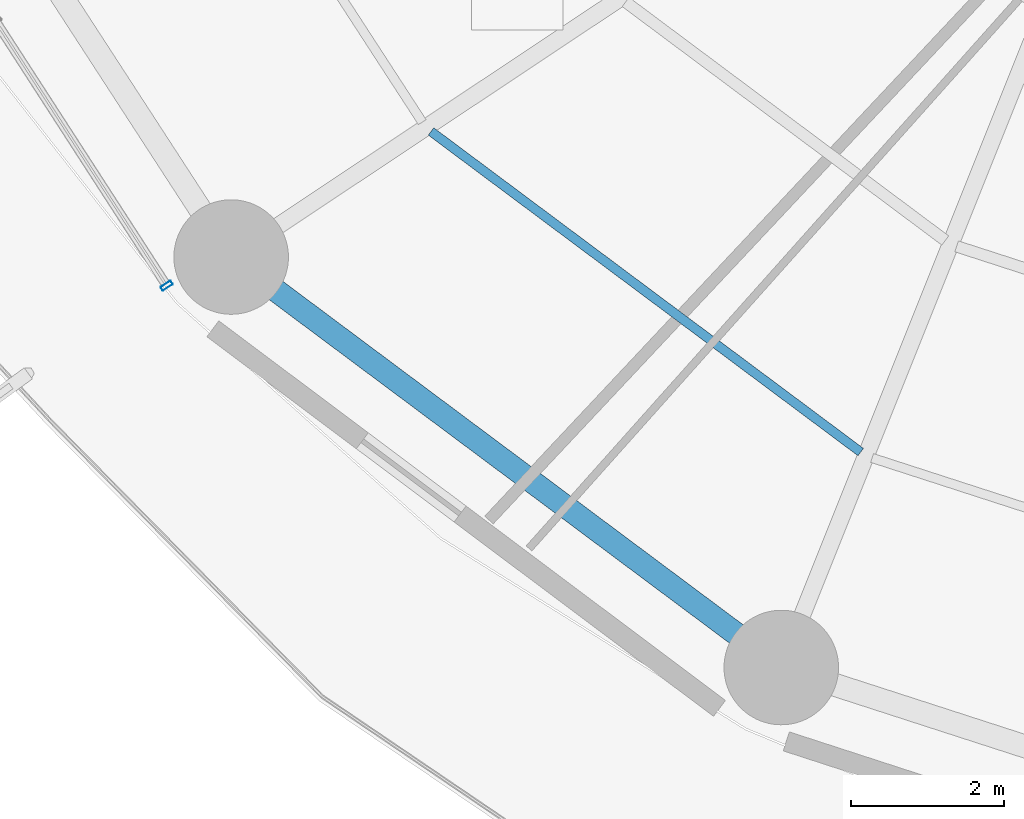
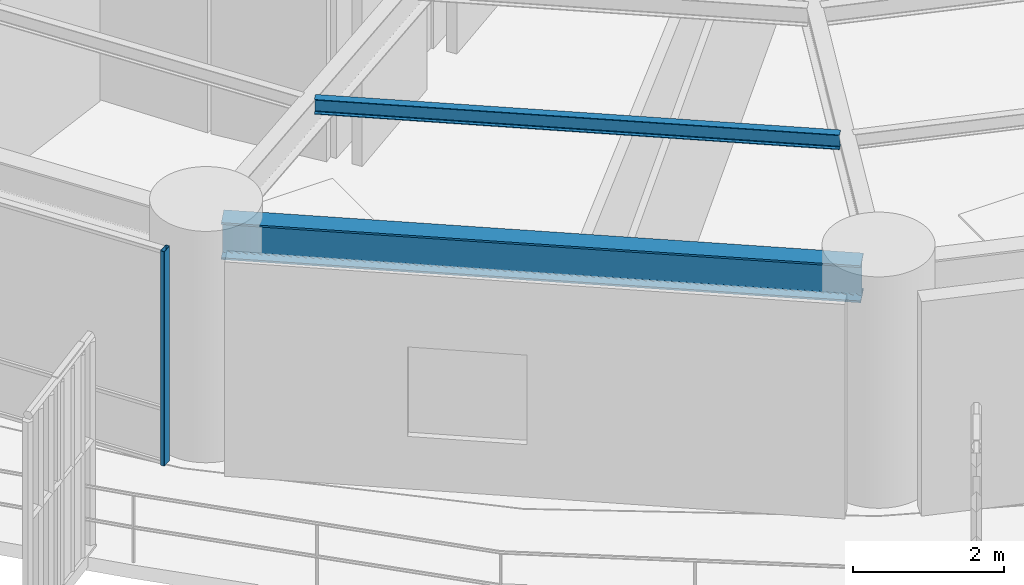
# One storey, part 3 of 35: 2 beams, 1 member, 1 element without a shape of its own.
"""IFC4 building model written with IfcOpenShell, lengths in metres."""

from ifc_helpers import new_model, si_unit, direction, frame, origin, origin_2d, place, context, subcontext, project, spatial, hollow_rectangle, i_section, extrude, material, layer, layer_set, material_profile, profile_set, type_object, element, aggregate, save


model = new_model("IFC4")

# Units and contexts
model_context = context("Model", 3, precision=1e-05, world=origin(), true_north=direction((0.0, 1.0)))
body_context = subcontext(model_context, "Body", "Model", "MODEL_VIEW")
ifc_project = project(units=[si_unit("LENGTHUNIT", "METRE"), si_unit("AREAUNIT", "SQUARE_METRE"), si_unit("VOLUMEUNIT", "CUBIC_METRE"), si_unit("PLANEANGLEUNIT", "RADIAN"), si_unit("MASSUNIT", "GRAM", prefix="KILO")], contexts=[model_context])

# Site, building, storey
site_placement = place(None, origin())
site = spatial("IfcSite", under=ifc_project, at=site_placement, CompositionType="ELEMENT")
building_placement = place(site_placement, origin())
building = spatial("IfcBuilding", under=site, at=building_placement, Name="Kelanora Arch Commons", CompositionType="ELEMENT")
storey_placement = place(building_placement, frame((0.0, 0.0, 22.5)))
storey = spatial("IfcBuildingStorey", under=building, at=storey_placement, Name="L05", CompositionType="ELEMENT", Elevation=22.5)

# Beams
ifc_material_1 = material(Name="Steel S355", Category="steel")
ifc_material_profile_1 = material_profile(ifc_material_1, i_section(OverallWidth=0.1201171875, OverallDepth=0.239990234375, WebThickness=0.006103515625, FlangeThickness=0.009765625, FilletRadius=0.014892578125, at=origin_2d()), Name="IPE240")
ifc_profile_set_1 = profile_set([ifc_material_profile_1], Name="Steel S355")
beam_type_1 = type_object("IfcBeamType", Name="BM-JST-02", PredefinedType="JOIST", material=ifc_profile_set_1)
beam_1_placement = place(storey_placement, frame((55.87255859375, 44.16650390625, 3.3701171875), z_axis=(0.80149131963, -0.598006408459, 0.0), x_axis=(0.598006408459, 0.80149131963, 0.0)))
element("IfcBeam", 1, at=beam_1_placement, inside=storey, type_object=beam_type_1, Name="Secondary Chord Joist BJC-22 L05", PredefinedType="JOIST", context=body_context, shape_type="SweptSolid", body=[
    extrude(i_section(OverallWidth=0.1201171875, OverallDepth=0.239990234375, WebThickness=0.006103515625, FlangeThickness=0.009765625, FilletRadius=0.014892578125, at=origin_2d()), origin(), (0.0, 0.0, 1.0), 7.021240234375),
])
ifc_material_profile_2 = material_profile(ifc_material_1, i_section(OverallWidth=0.300048828125, OverallDepth=0.60009765625, WebThickness=0.015380859375, FlangeThickness=0.030029296875, FilletRadius=0.027099609375, at=origin_2d()), Name="HEB600")
ifc_profile_set_2 = profile_set([ifc_material_profile_2], Name="Steel S355")
beam_type_2 = type_object("IfcBeamType", Name="BM-SPN-Z1", PredefinedType="SPANDREL", material=ifc_profile_set_2)
beam_2_placement = place(storey_placement, frame((53.431884765625, 42.39013671875, 3.18994140625), z_axis=(0.801474585329, -0.598028836322, 0.0), x_axis=(0.598028836322, 0.801474585329, 0.0)))
element("IfcBeam", 2, at=beam_2_placement, inside=storey, type_object=beam_type_2, Name="Perimeter Spandrel Beam BS-22 L05", PredefinedType="SPANDREL", context=body_context, shape_type="SweptSolid", body=[
    extrude(i_section(OverallWidth=0.300048828125, OverallDepth=0.60009765625, WebThickness=0.015380859375, FlangeThickness=0.030029296875, FilletRadius=0.027099609375, at=origin_2d()), origin(), (0.0, 0.0, 1.0), 8.549072265625),
])

# Curtain wall, member
ifc_material_2 = material(Name="Terracotta ceramic-fritted low-E glass and aluminium", Category="masonry")
ifc_layer = layer(ifc_material_2, 0.159912109375)
ifc_layer_set = layer_set([ifc_layer], Name="Terracotta ceramic-fritted low-E glass and aluminium")
curtain_wall_type = type_object("IfcCurtainWallType", Name="CW-SYS-01", PredefinedType="NOTDEFINED", material=ifc_layer_set)
curtain_wall_placement = place(storey_placement, origin())
curtain_wall = element("IfcCurtainWall", 3, at=curtain_wall_placement, inside=storey, type_object=curtain_wall_type, Name="Unitised Curtain Wall L05-B10", PredefinedType="NOTDEFINED")
ifc_material_3 = material(Name="Powder-coated aluminium terracotta", Category="masonry")
ifc_material_profile_3 = material_profile(ifc_material_3, hollow_rectangle(XDim=0.159912109375, YDim=0.06005859375, WallThickness=0.0048828125, InnerFilletRadius=0.0048828125, OuterFilletRadius=0.010009765625, at=origin_2d()), Name="CWM160x60")
ifc_profile_set_3 = profile_set([ifc_material_profile_3], Name="Powder-coated aluminium terracotta")
member_type = type_object("IfcMemberType", Name="CWM-STD", PredefinedType="MULLION", material=ifc_profile_set_3)
member_placement = place(storey_placement, frame((52.41064453125, 42.14697265625, 0.0), z_axis=(0.0, 0.0, 1.0), x_axis=(0.83972982332, 0.543004441812, 0.0)))
member = element("IfcMember", 4, at=member_placement, type_object=member_type, Name="CW-01 mullion 3", PredefinedType="MULLION", context=body_context, shape_type="SweptSolid", body=[
    extrude(hollow_rectangle(XDim=0.159912109375, YDim=0.06005859375, WallThickness=0.0048828125, InnerFilletRadius=0.0048828125, OuterFilletRadius=0.010009765625, at=origin_2d()), origin(), (0.0, 0.0, 1.0), 3.47509765625),
])
aggregate(curtain_wall, [member])

save(model, "model.ifc")
